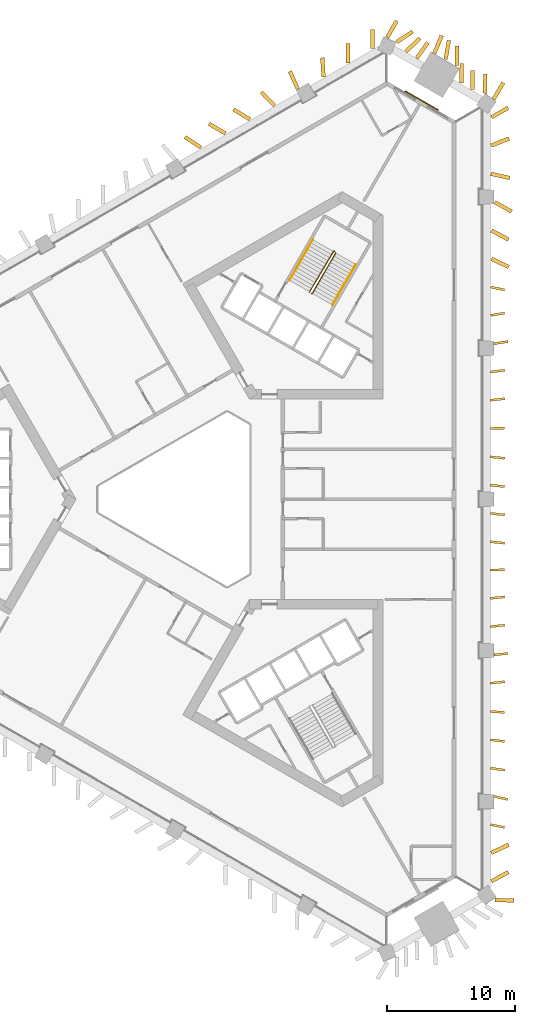
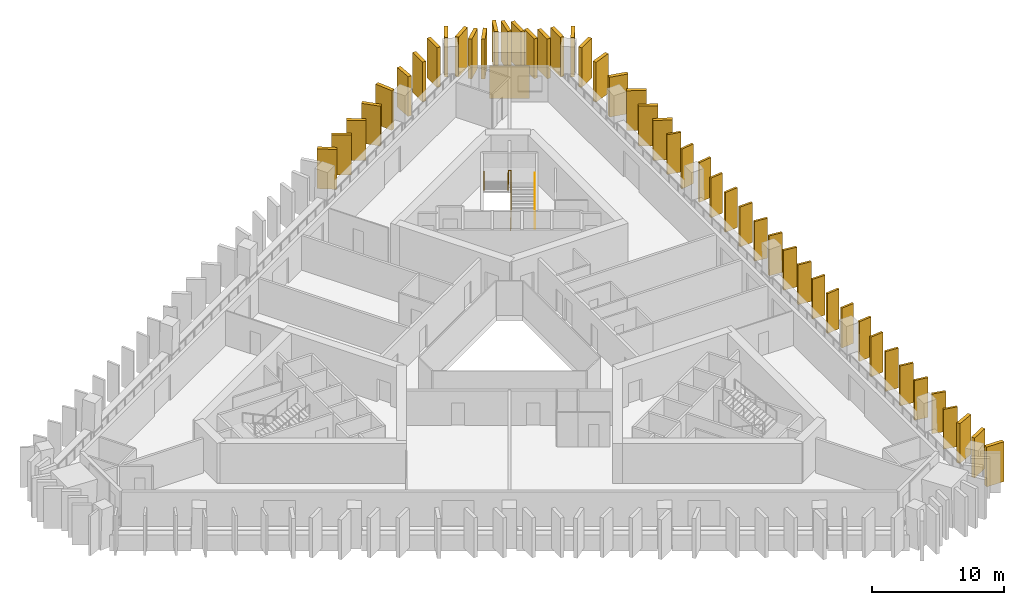
# One storey, part 11 of 11: 48 shading devices, 3 railings, 1 covering.
"""IFC4 building model written with IfcOpenShell, lengths in metres."""

from ifc_helpers import new_model, si_unit, direction, frame, frame_2d, origin, origin_2d, place, context, subcontext, project, spatial, rectangle, circle, extrude, material, layer, layer_set, type_object, element, save


model = new_model("IFC4")

# Units and contexts
model_context = context("Model", 3, precision=1e-05, world=origin(), true_north=direction((0.0, 1.0)))
body_context = subcontext(model_context, "Body", "Model", "MODEL_VIEW")
ifc_project = project(units=[si_unit("LENGTHUNIT", "METRE"), si_unit("AREAUNIT", "SQUARE_METRE"), si_unit("VOLUMEUNIT", "CUBIC_METRE"), si_unit("PLANEANGLEUNIT", "RADIAN"), si_unit("MASSUNIT", "GRAM", prefix="KILO")], contexts=[model_context])

# Site, building, storey
site_placement = place(None, origin())
site = spatial("IfcSite", under=ifc_project, at=site_placement, CompositionType="ELEMENT")
building_placement = place(site_placement, origin())
building = spatial("IfcBuilding", under=site, at=building_placement, Name="Jabali Bay Hotel Tower and Convention Centre", CompositionType="ELEMENT")
storey_placement = place(building_placement, frame((0.0, 0.0, 83.199951171875)))
storey = spatial("IfcBuildingStorey", under=building, at=storey_placement, Name="L19", CompositionType="ELEMENT", Elevation=83.199951171875)

# Shading devices
ifc_material_1 = material(Name="Precast concrete C60", Category="concrete")
ifc_layer_1 = layer(ifc_material_1, 0.179931640625)
ifc_layer_set_1 = layer_set([ifc_layer_1], Name="Precast concrete C60")
shading_device_type_1 = type_object("IfcShadingDeviceType", Name="Precast fin 3680 x 1100", PredefinedType="USERDEFINED", material=ifc_layer_set_1)
for number, where, z_axis, x_axis, name in (
    (1, (98.28564453125, 54.66650390625, 0.010009765625), (0.0, 0.0, 1.0), (0.981316214426, -0.192401890074, 0.0), "Fin L19 002"),
    (2, (98.545654296875, 56.869384765625, 0.010009765625), (0.0, 0.0, 1.0), (0.975662012469, -0.219279815359, 0.0), "Fin L19 003"),
    (3, (98.28173828125, 59.072509765625, 0.010009765625), (0.0, 0.0, 1.0), (0.9886826098, -0.150022321936, 0.0), "Fin L19 004"),
):
    element("IfcShadingDevice", number, at=place(storey_placement, frame(where, z_axis=z_axis, x_axis=x_axis)), inside=storey, type_object=shading_device_type_1, Name=name, ObjectType="FIN", PredefinedType="USERDEFINED", context=body_context, shape_type="SweptSolid", body=[
        extrude(rectangle(XDim=1.10009765625, YDim=0.179931640625, at=frame_2d((0.550048828125, 0.0))), origin(), (0.0, 0.0, 1.0), 3.679931640625),
    ])
for number, where, z_axis, x_axis, name in (
    (4, (98.279296875, 61.275390625, 0.010009765625), (0.0, 0.0, 1.0), (0.992655632735, -0.120974355957, 0.0), "Fin L19 005"),
    (5, (98.2744140625, 63.478271484375, 0.010009765625), (0.0, 0.0, 1.0), (0.997765470784, -0.066813661114, 0.0), "Fin L19 006"),
):
    element("IfcShadingDevice", number, at=place(storey_placement, frame(where, z_axis=z_axis, x_axis=x_axis)), inside=storey, type_object=shading_device_type_1, Name=name, ObjectType="FIN", PredefinedType="USERDEFINED", context=body_context, shape_type="SweptSolid", body=[
        extrude(rectangle(XDim=1.099853515625, YDim=0.179931640625, at=frame_2d((0.5498046875, 0.0))), origin(), (0.0, 0.0, 1.0), 3.679931640625),
    ])
for number, where, z_axis, x_axis, name in (
    (6, (98.27783203125, 65.68115234375, 0.010009765625), (0.0, 0.0, 1.0), (0.994332640094, 0.10631369076, 0.0), "Fin L19 007"),
    (7, (98.53515625, 67.884033203125, 0.010009765625), (0.0, 0.0, 1.0), (0.994498153958, 0.104754101466, 0.0), "Fin L19 008"),
):
    element("IfcShadingDevice", number, at=place(storey_placement, frame(where, z_axis=z_axis, x_axis=x_axis)), inside=storey, type_object=shading_device_type_1, Name=name, ObjectType="FIN", PredefinedType="USERDEFINED", context=body_context, shape_type="SweptSolid", body=[
        extrude(rectangle(XDim=1.10009765625, YDim=0.179931640625, at=frame_2d((0.550048828125, 0.0))), origin(), (0.0, 0.0, 1.0), 3.679931640625),
    ])
shading_device_1_placement = place(storey_placement, frame((98.27783203125, 70.0869140625, 0.010009765625), z_axis=(0.0, 0.0, 1.0), x_axis=(0.994567303329, 0.104095528958, 0.0)))
element("IfcShadingDevice", 8, at=shading_device_1_placement, inside=storey, type_object=shading_device_type_1, Name="Fin L19 009", ObjectType="FIN", PredefinedType="USERDEFINED", context=body_context, shape_type="SweptSolid", body=[
    extrude(rectangle(XDim=1.099853515625, YDim=0.179931640625, at=frame_2d((0.5498046875, 0.0))), origin(), (0.0, 0.0, 1.0), 3.679931640625),
])
shading_device_2_placement = place(storey_placement, frame((98.277587890625, 72.289794921875, 0.010009765625), z_axis=(0.0, 0.0, 1.0), x_axis=(0.994592652502, 0.103853048052, 0.0)))
element("IfcShadingDevice", 9, at=shading_device_2_placement, inside=storey, type_object=shading_device_type_1, Name="Fin L19 010", ObjectType="FIN", PredefinedType="USERDEFINED", context=body_context, shape_type="SweptSolid", body=[
    extrude(rectangle(XDim=1.10009765625, YDim=0.179931640625, at=frame_2d((0.550048828125, 0.0))), origin(), (0.0, 0.0, 1.0), 3.679931640625),
])
shading_device_3_placement = place(storey_placement, frame((98.26953125, 74.49267578125, 0.010009765625), z_axis=(0.0, 0.0, 1.0), x_axis=(0.999914251097, 0.013095436363, 0.0)))
element("IfcShadingDevice", 10, at=shading_device_3_placement, inside=storey, type_object=shading_device_type_1, Name="Fin L19 011", ObjectType="FIN", PredefinedType="USERDEFINED", context=body_context, shape_type="SweptSolid", body=[
    extrude(rectangle(XDim=1.099853515625, YDim=0.179931640625, at=frame_2d((0.5498046875, 0.0))), origin(), (0.0, 0.0, 1.0), 3.679931640625),
])
for number, where, z_axis, x_axis, name in (
    (11, (98.277587890625, 76.695556640625, 0.010009765625), (0.0, 0.0, 1.0), (0.994615550032, -0.103633525628, 0.0), "Fin L19 012"),
    (12, (98.277587890625, 78.8984375, 0.010009765625), (0.0, 0.0, 1.0), (0.994615550032, -0.103633525628, 0.0), "Fin L19 013"),
):
    element("IfcShadingDevice", number, at=place(storey_placement, frame(where, z_axis=z_axis, x_axis=x_axis)), inside=storey, type_object=shading_device_type_1, Name=name, ObjectType="FIN", PredefinedType="USERDEFINED", context=body_context, shape_type="SweptSolid", body=[
        extrude(rectangle(XDim=1.10009765625, YDim=0.179931640625, at=frame_2d((0.550048828125, 0.0))), origin(), (0.0, 0.0, 1.0), 3.679931640625),
    ])
shading_device_4_placement = place(storey_placement, frame((98.27783203125, 81.1015625, 0.010009765625), z_axis=(0.0, 0.0, 1.0), x_axis=(0.994567303329, -0.104095528958, 0.0)))
element("IfcShadingDevice", 13, at=shading_device_4_placement, inside=storey, type_object=shading_device_type_1, Name="Fin L19 014", ObjectType="FIN", PredefinedType="USERDEFINED", context=body_context, shape_type="SweptSolid", body=[
    extrude(rectangle(XDim=1.099853515625, YDim=0.179931640625, at=frame_2d((0.5498046875, 0.0))), origin(), (0.0, 0.0, 1.0), 3.679931640625),
])
for number, where, z_axis, x_axis, name in (
    (14, (98.27783203125, 83.304443359375, 0.010009765625), (0.0, 0.0, 1.0), (0.994498153958, -0.104754101466, 0.0), "Fin L19 015"),
    (15, (98.271240234375, 85.50732421875, 0.010009765625), (0.0, 0.0, 1.0), (0.999460557517, 0.032841954377, 0.0), "Fin L19 016"),
):
    element("IfcShadingDevice", number, at=place(storey_placement, frame(where, z_axis=z_axis, x_axis=x_axis)), inside=storey, type_object=shading_device_type_1, Name=name, ObjectType="FIN", PredefinedType="USERDEFINED", context=body_context, shape_type="SweptSolid", body=[
        extrude(rectangle(XDim=1.10009765625, YDim=0.179931640625, at=frame_2d((0.550048828125, 0.0))), origin(), (0.0, 0.0, 1.0), 3.679931640625),
    ])
for number, where, z_axis, x_axis, name in (
    (16, (98.2783203125, 87.710205078125, 0.010009765625), (0.0, 0.0, 1.0), (0.993921571182, 0.110090464338, 0.0), "Fin L19 017"),
    (17, (98.279296875, 89.9130859375, 0.010009765625), (0.0, 0.0, 1.0), (0.992761880986, 0.120099324153, 0.0), "Fin L19 018"),
    (18, (98.5390625, 92.115966796875, 0.010009765625), (0.0, 0.0, 1.0), (0.989014359823, 0.147819471194, 0.0), "Fin L19 019"),
):
    element("IfcShadingDevice", number, at=place(storey_placement, frame(where, z_axis=z_axis, x_axis=x_axis)), inside=storey, type_object=shading_device_type_1, Name=name, ObjectType="FIN", PredefinedType="USERDEFINED", context=body_context, shape_type="SweptSolid", body=[
        extrude(rectangle(XDim=1.099853515625, YDim=0.179931640625, at=frame_2d((0.5498046875, 0.0))), origin(), (0.0, 0.0, 1.0), 3.679931640625),
    ])
shading_device_5_placement = place(storey_placement, frame((98.282958984375, 94.31884765625, 0.010009765625), z_axis=(0.0, 0.0, 1.0), x_axis=(0.986573253099, 0.163319368934, 0.0)))
element("IfcShadingDevice", 19, at=shading_device_5_placement, inside=storey, type_object=shading_device_type_1, Name="Fin L19 020", ObjectType="FIN", PredefinedType="USERDEFINED", context=body_context, shape_type="SweptSolid", body=[
    extrude(rectangle(XDim=1.100341796875, YDim=0.179931640625, at=frame_2d((0.55029296875, 0.0))), origin(), (0.0, 0.0, 1.0), 3.679931640625),
])
shading_device_6_placement = place(storey_placement, frame((98.28662109375, 96.521728515625, 0.010009765625), z_axis=(0.0, 0.0, 1.0), x_axis=(0.979384767209, -0.202003657788, 0.0)))
element("IfcShadingDevice", 20, at=shading_device_6_placement, inside=storey, type_object=shading_device_type_1, Name="Fin L19 021", ObjectType="FIN", PredefinedType="USERDEFINED", context=body_context, shape_type="SweptSolid", body=[
    extrude(rectangle(XDim=1.099853515625, YDim=0.179931640625, at=frame_2d((0.5498046875, 0.0))), origin(), (0.0, 0.0, 1.0), 3.679931640625),
])
ifc_layer_2 = layer(ifc_material_1, 0.300048828125)
ifc_layer_set_2 = layer_set([ifc_layer_2], Name="Precast concrete C60")
shading_device_type_2 = type_object("IfcShadingDeviceType", Name="Precast fin 3680 x 1500", PredefinedType="USERDEFINED", material=ifc_layer_set_2)
for number, where, z_axis, x_axis, name in (
    (21, (98.33935546875, 50.2607421875, 0.010009765625), (0.0, 0.0, 1.0), (0.880753127526, 0.47357568387, 0.0), "Fin L19 000"),
    (22, (98.332763671875, 52.463623046875, 0.010009765625), (0.0, 0.0, 1.0), (0.903073991894, 0.429484999929, 0.0), "Fin L19 001"),
):
    element("IfcShadingDevice", number, at=place(storey_placement, frame(where, z_axis=z_axis, x_axis=x_axis)), inside=storey, type_object=shading_device_type_2, Name=name, ObjectType="FIN", PredefinedType="USERDEFINED", context=body_context, shape_type="SweptSolid", body=[
        extrude(rectangle(XDim=1.500244140625, YDim=0.300048828125, at=frame_2d((0.75, 0.0))), origin(), (0.0, 0.0, 1.0), 3.679931640625),
    ])
for number, where, z_axis, x_axis, name in (
    (23, (98.332275390625, 98.724609375, 0.010009765625), (0.0, 0.0, 1.0), (0.904755987848, -0.425930278863, 0.0), "Fin L19 022"),
    (24, (98.339111328125, 100.927490234375, 0.010009765625), (0.0, 0.0, 1.0), (0.881509003871, -0.472167212007, 0.0), "Fin L19 023"),
):
    element("IfcShadingDevice", number, at=place(storey_placement, frame(where, z_axis=z_axis, x_axis=x_axis)), inside=storey, type_object=shading_device_type_2, Name=name, ObjectType="FIN", PredefinedType="USERDEFINED", context=body_context, shape_type="SweptSolid", body=[
        extrude(rectangle(XDim=1.5, YDim=0.300048828125, at=frame_2d((0.75, 0.0))), origin(), (0.0, 0.0, 1.0), 3.679931640625),
    ])
for number, where, z_axis, x_axis, name in (
    (25, (98.59912109375, 103.130615234375, 0.010009765625), (0.0, 0.0, 1.0), (0.873118753651, -0.487507581503, 0.0), "Fin L19 024"),
    (26, (98.30029296875, 105.33349609375, 0.010009765625), (0.0, 0.0, 1.0), (0.977142562381, -0.212585071876, 0.0), "Fin L19 025"),
    (27, (98.323486328125, 107.536376953125, 0.010009765625), (0.0, 0.0, 1.0), (0.930317525432, 0.366755097952, 0.0), "Fin L19 026"),
):
    element("IfcShadingDevice", number, at=place(storey_placement, frame(where, z_axis=z_axis, x_axis=x_axis)), inside=storey, type_object=shading_device_type_2, Name=name, ObjectType="FIN", PredefinedType="USERDEFINED", context=body_context, shape_type="SweptSolid", body=[
        extrude(rectangle(XDim=1.499755859375, YDim=0.300048828125, at=frame_2d((0.75, 0.0))), origin(), (0.0, 0.0, 1.0), 3.679931640625),
    ])
for number, where, z_axis, x_axis, name in (
    (28, (98.34228515625, 109.7392578125, 0.010009765625), (0.0, 0.0, 1.0), (0.869940726606, 0.493156295906, 0.0), "Fin L19 027"),
    (29, (97.845703125, 111.610107421875, 0.010009765625), (0.0, 0.0, 1.0), (0.007649515767, 0.999970742026, 0.0), "Fin L19 028"),
    (30, (96.86376953125, 111.8994140625, 0.010009765625), (0.0, 0.0, 1.0), (0.007649515767, 0.999970742026, 0.0), "Fin L19 029"),
    (31, (96.01513671875, 112.419189453125, 0.010009765625), (0.0, 0.0, 1.0), (0.007649515767, 0.999970742026, 0.0), "Fin L19 030"),
    (32, (95.646728515625, 113.77099609375, 0.010009765625), (0.0, 0.0, 1.0), (0.007649515767, 0.999970742026, 0.0), "Fin L19 031"),
):
    element("IfcShadingDevice", number, at=place(storey_placement, frame(where, z_axis=z_axis, x_axis=x_axis)), inside=storey, type_object=shading_device_type_2, Name=name, ObjectType="FIN", PredefinedType="USERDEFINED", context=body_context, shape_type="SweptSolid", body=[
        extrude(rectangle(XDim=1.5, YDim=0.300048828125, at=frame_2d((0.75, 0.0))), origin(), (0.0, 0.0, 1.0), 3.679931640625),
    ])
shading_device_7_placement = place(storey_placement, frame((94.773681640625, 114.249267578125, 0.010009765625), z_axis=(0.0, 0.0, 1.0), x_axis=(0.171732728865, 0.985143578285, 0.0)))
element("IfcShadingDevice", 33, at=shading_device_7_placement, inside=storey, type_object=shading_device_type_2, Name="Fin L19 032", ObjectType="FIN", PredefinedType="USERDEFINED", context=body_context, shape_type="SweptSolid", body=[
    extrude(rectangle(XDim=1.499755859375, YDim=0.300048828125, at=frame_2d((0.75, 0.0))), origin(), (0.0, 0.0, 1.0), 3.679931640625),
])
for number, where, z_axis, x_axis, name in (
    (34, (93.89599609375, 114.718994140625, 0.010009765625), (0.0, 0.0, 1.0), (0.382476376004, 0.923965270883, 0.0), "Fin L19 033"),
    (35, (92.525146484375, 114.33447265625, 0.010009765625), (0.0, 0.0, 1.0), (0.57585217393, 0.817553835402, 0.0), "Fin L19 034"),
):
    element("IfcShadingDevice", number, at=place(storey_placement, frame(where, z_axis=z_axis, x_axis=x_axis)), inside=storey, type_object=shading_device_type_2, Name=name, ObjectType="FIN", PredefinedType="USERDEFINED", context=body_context, shape_type="SweptSolid", body=[
        extrude(rectangle(XDim=1.5, YDim=0.300048828125, at=frame_2d((0.75, 0.0))), origin(), (0.0, 0.0, 1.0), 3.679931640625),
    ])
shading_device_8_placement = place(storey_placement, frame((91.678466796875, 114.85791015625, 0.010009765625), z_axis=(0.0, 0.0, 1.0), x_axis=(0.730232126174, 0.683199123173, 0.0)))
element("IfcShadingDevice", 36, at=shading_device_8_placement, inside=storey, type_object=shading_device_type_2, Name="Fin L19 035", ObjectType="FIN", PredefinedType="USERDEFINED", context=body_context, shape_type="SweptSolid", body=[
    extrude(rectangle(XDim=1.500244140625, YDim=0.300048828125, at=frame_2d((0.75, 0.0))), origin(), (0.0, 0.0, 1.0), 3.679931640625),
])
for number, where, z_axis, x_axis, name in (
    (37, (90.952880859375, 115.5908203125, 0.010009765625), (0.0, 0.0, 1.0), (0.836975348911, 0.547240591801, 0.0), "Fin L19 036"),
    (38, (89.083740234375, 115.084716796875, 0.010009765625), (0.0, 0.0, 1.0), (-0.007649515767, 0.999970742026, 0.0), "Fin L19 037"),
    (39, (87.176025390625, 113.983154296875, 0.010009765625), (0.0, 0.0, 1.0), (-0.007649515767, 0.999970742026, 0.0), "Fin L19 038"),
    (40, (85.27197265625, 112.875244140625, 0.010009765625), (0.0, 0.0, 1.0), (-0.064617568119, 0.997910101106, 0.0), "Fin L19 039"),
    (41, (83.260986328125, 111.95263671875, 0.010009765625), (0.0, 0.0, 1.0), (-0.407859236794, 0.913044819799, 0.0), "Fin L19 040"),
):
    element("IfcShadingDevice", number, at=place(storey_placement, frame(where, z_axis=z_axis, x_axis=x_axis)), inside=storey, type_object=shading_device_type_2, Name=name, ObjectType="FIN", PredefinedType="USERDEFINED", context=body_context, shape_type="SweptSolid", body=[
        extrude(rectangle(XDim=1.5, YDim=0.300048828125, at=frame_2d((0.75, 0.0))), origin(), (0.0, 0.0, 1.0), 3.679931640625),
    ])
shading_device_9_placement = place(storey_placement, frame((81.470458984375, 110.64794921875, 0.010009765625), z_axis=(0.0, 0.0, 1.0), x_axis=(-0.703843765353, 0.710354808511, 0.0)))
element("IfcShadingDevice", 42, at=shading_device_9_placement, inside=storey, type_object=shading_device_type_2, Name="Fin L19 041", ObjectType="FIN", PredefinedType="USERDEFINED", context=body_context, shape_type="SweptSolid", body=[
    extrude(rectangle(XDim=1.499755859375, YDim=0.300048828125, at=frame_2d((0.75, 0.0))), origin(), (0.0, 0.0, 1.0), 3.679931640625),
])
for number, where, z_axis, x_axis, name in (
    (43, (79.545654296875, 109.576171875, 0.010009765625), (0.0, 0.0, 1.0), (-0.856917953198, 0.515452831487, 0.0), "Fin L19 042"),
    (44, (77.63720703125, 108.47607421875, 0.010009765625), (0.0, 0.0, 1.0), (-0.862252015738, 0.506479477723, 0.0), "Fin L19 043"),
    (45, (75.7333984375, 107.367431640625, 0.010009765625), (0.0, 0.0, 1.0), (-0.829689218407, 0.558225582412, 0.0), "Fin L19 044"),
    (46, (98.60595703125, 48.795654296875, 0.010009765625), (0.0, 0.0, 1.0), (0.999802848454, -0.019856087825, 0.0), "Fin L19 111"),
):
    element("IfcShadingDevice", number, at=place(storey_placement, frame(where, z_axis=z_axis, x_axis=x_axis)), inside=storey, type_object=shading_device_type_2, Name=name, ObjectType="FIN", PredefinedType="USERDEFINED", context=body_context, shape_type="SweptSolid", body=[
        extrude(rectangle(XDim=1.5, YDim=0.300048828125, at=frame_2d((0.75, 0.0))), origin(), (0.0, 0.0, 1.0), 3.679931640625),
    ])
shading_device_10_placement = place(storey_placement, frame((98.509765625, 111.14892578125, 0.010009765625), z_axis=(0.0, 0.0, 1.0), x_axis=(0.506742658256, 0.862097371707, 0.0)))
element("IfcShadingDevice", 47, at=shading_device_10_placement, inside=storey, type_object=shading_device_type_2, Name="Fin L19 112", ObjectType="FIN", PredefinedType="USERDEFINED", context=body_context, shape_type="SweptSolid", body=[
    extrude(rectangle(XDim=1.499755859375, YDim=0.300048828125, at=frame_2d((0.75, 0.0))), origin(), (0.0, 0.0, 1.0), 3.679931640625),
])
shading_device_11_placement = place(storey_placement, frame((90.220947265625, 115.934326171875, 0.010009765625), z_axis=(0.0, 0.0, 1.0), x_axis=(0.493349296078, 0.869831289423, 0.0)))
element("IfcShadingDevice", 48, at=shading_device_11_placement, inside=storey, type_object=shading_device_type_2, Name="Fin L19 113", ObjectType="FIN", PredefinedType="USERDEFINED", context=body_context, shape_type="SweptSolid", body=[
    extrude(rectangle(XDim=1.5, YDim=0.300048828125, at=frame_2d((0.75, 0.0))), origin(), (0.0, 0.0, 1.0), 3.679931640625),
])

# Covering
ifc_material_2 = material(Name="Precast concrete C40/50", Category="concrete")
ifc_layer_3 = layer(ifc_material_2, 0.080078125)
ifc_layer_set_3 = layer_set([ifc_layer_3], Name="Precast concrete C40/50")
covering_type = type_object("IfcCoveringType", Name="Relief panel 3000 x 3000", PredefinedType="CLADDING", material=ifc_layer_set_3)
covering_placement = place(storey_placement, frame((92.91845703125, 111.03564453125, 0.10009765625), z_axis=(0.0, 0.0, 1.0), x_axis=(0.866025409858, -0.49999998948, 0.0)))
element("IfcCovering", 49, at=covering_placement, inside=storey, type_object=covering_type, Name="Relief panel L19", PredefinedType="CLADDING", context=body_context, shape_type="SweptSolid", body=[
    extrude(rectangle(XDim=3.0, YDim=0.080078125, at=origin_2d()), origin(), (0.0, 0.0, 1.0), 3.0),
])

# Railings
ifc_material_3 = material(Name="Steel Q355B", Category="steel")
railing_type_1 = type_object("IfcRailingType", Name="Stair guard 1100", PredefinedType="GUARDRAIL", material=ifc_material_3)
railing_1_placement = place(storey_placement, frame((84.329833984375, 96.010009765625, 0.0)))
element("IfcRailing", 50, at=railing_1_placement, inside=storey, type_object=railing_type_1, Name="L19 ST2 stair guard 1", PredefinedType="GUARDRAIL", context=body_context, shape_type="SweptSolid", body=[
    extrude(circle(Radius=0.02392578125, at=origin_2d()), frame((0.0, 0.0, 1.076171875), z_axis=(0.456201556387, 0.122196845461, 0.881446578591), x_axis=(-0.258736085224, 0.965948051503, 0.0)), (0.0, 0.0, 1.0), 0.14990234375),
    extrude(circle(Radius=0.02392578125, at=origin_2d()), frame((0.068359375, 0.018310546875, 1.2080078125), z_axis=(0.45217862506, 0.783169739339, 0.426825081763), x_axis=(-0.866018046521, 0.500012742938, 0.0)), (0.0, 0.0, 1.0), 4.025146484375),
    extrude(circle(Radius=0.02392578125, at=origin_2d()), frame((1.888427734375, 3.170654296875, 2.92626953125), z_axis=(-0.718850276695, 0.695164929852, 0.0), x_axis=(-0.695164929852, -0.718850276695, 0.0)), (0.0, 0.0, 1.0), 0.2060546875),
    extrude(circle(Radius=0.02392578125, at=origin_2d()), frame((1.740234375, 3.31396484375, 2.92626953125), z_axis=(-0.457457462341, -0.768067235091, 0.448113147015), x_axis=(0.859157857954, -0.511710636118, 0.0)), (0.0, 0.0, 1.0), 4.128173828125),
    extrude(circle(Radius=0.02099609375, at=origin_2d()), origin(), (0.0, 0.0, 1.0), 1.052001953125),
    extrude(circle(Radius=0.02099609375, at=origin_2d()), frame((0.068359375, 0.018310546875, 0.132080078125)), (0.0, 0.0, 1.0), 1.052001953125),
    extrude(circle(Radius=0.02099609375, at=origin_2d()), frame((0.5234375, 0.806396484375, 0.5615234375)), (0.0, 0.0, 1.0), 1.052001953125),
    extrude(circle(Radius=0.02099609375, at=origin_2d()), frame((0.978515625, 1.594482421875, 0.9912109375)), (0.0, 0.0, 1.0), 1.052001953125),
    extrude(circle(Radius=0.02099609375, at=origin_2d()), frame((1.433349609375, 2.382568359375, 1.420654296875)), (0.0, 0.0, 1.0), 1.052001953125),
    extrude(circle(Radius=0.02099609375, at=origin_2d()), frame((1.888427734375, 3.170654296875, 1.85009765625)), (0.0, 0.0, 1.0), 1.052001953125),
    extrude(circle(Radius=0.02099609375, at=origin_2d()), frame((1.740234375, 3.31396484375, 1.85009765625)), (0.0, 0.0, 1.0), 1.052001953125),
    extrude(circle(Radius=0.02099609375, at=origin_2d()), frame((1.26806640625, 2.521240234375, 2.3125)), (0.0, 0.0, 1.0), 1.052001953125),
    extrude(circle(Radius=0.02099609375, at=origin_2d()), frame((0.7958984375, 1.728515625, 2.77490234375)), (0.0, 0.0, 1.0), 1.052001953125),
    extrude(circle(Radius=0.02099609375, at=origin_2d()), frame((0.323974609375, 0.93603515625, 3.237548828125)), (0.0, 0.0, 1.0), 1.052001953125),
    extrude(circle(Radius=0.02099609375, at=origin_2d()), frame((-0.148193359375, 0.143310546875, 3.699951171875)), (0.0, 0.0, 1.0), 1.052001953125),
])
railing_type_2 = type_object("IfcRailingType", Name="Stair handrail 900", PredefinedType="HANDRAIL", material=ifc_material_3)
railing_2_placement = place(storey_placement, frame((85.95703125, 95.128173828125, 0.132080078125)))
element("IfcRailing", 51, at=railing_2_placement, inside=storey, type_object=railing_type_2, Name="L19 ST2 stair handrail 1", PredefinedType="HANDRAIL", context=body_context, shape_type="SweptSolid", body=[
    extrude(circle(Radius=0.02392578125, at=origin_2d()), frame((0.0, 0.0, 0.8759765625), z_axis=(0.45217862506, 0.783169739339, 0.426825081763), x_axis=(-0.866018046521, 0.500012742938, 0.0)), (0.0, 0.0, 1.0), 4.025146484375),
    extrude(circle(Radius=0.02099609375, at=origin_2d()), origin(), (0.0, 0.0, 1.0), 0.851806640625),
    extrude(circle(Radius=0.02099609375, at=origin_2d()), frame((0.455078125, 0.7880859375, 0.429443359375)), (0.0, 0.0, 1.0), 0.851806640625),
    extrude(circle(Radius=0.02099609375, at=origin_2d()), frame((0.91015625, 1.576171875, 0.85888671875)), (0.0, 0.0, 1.0), 0.851806640625),
    extrude(circle(Radius=0.02099609375, at=origin_2d()), frame((1.364990234375, 2.3642578125, 1.28857421875)), (0.0, 0.0, 1.0), 0.851806640625),
    extrude(circle(Radius=0.02099609375, at=origin_2d()), frame((1.820068359375, 3.15234375, 1.718017578125)), (0.0, 0.0, 1.0), 0.851806640625),
])
railing_3_placement = place(storey_placement, frame((84.44287109375, 100.20556640625, 1.982177734375)))
element("IfcRailing", 52, at=railing_3_placement, inside=storey, type_object=railing_type_2, Name="L19 ST2 stair handrail 2", PredefinedType="HANDRAIL", context=body_context, shape_type="SweptSolid", body=[
    extrude(circle(Radius=0.02392578125, at=origin_2d()), frame((0.0, 0.0, 0.8759765625), z_axis=(-0.452190331055, -0.783190014029, 0.426775475427), x_axis=(0.866018046521, -0.500012742938, 0.0)), (0.0, 0.0, 1.0), 4.02490234375),
    extrude(circle(Radius=0.02099609375, at=origin_2d()), origin(), (0.0, 0.0, 1.0), 0.851806640625),
    extrude(circle(Radius=0.02099609375, at=origin_2d()), frame((-0.455078125, -0.7880859375, 0.429443359375)), (0.0, 0.0, 1.0), 0.851806640625),
    extrude(circle(Radius=0.02099609375, at=origin_2d()), frame((-0.91015625, -1.576171875, 0.85888671875)), (0.0, 0.0, 1.0), 0.851806640625),
    extrude(circle(Radius=0.02099609375, at=origin_2d()), frame((-1.364990234375, -2.3642578125, 1.288330078125)), (0.0, 0.0, 1.0), 0.851806640625),
    extrude(circle(Radius=0.02099609375, at=origin_2d()), frame((-1.820068359375, -3.15234375, 1.7177734375)), (0.0, 0.0, 1.0), 0.851806640625),
])

save(model, "model.ifc")
